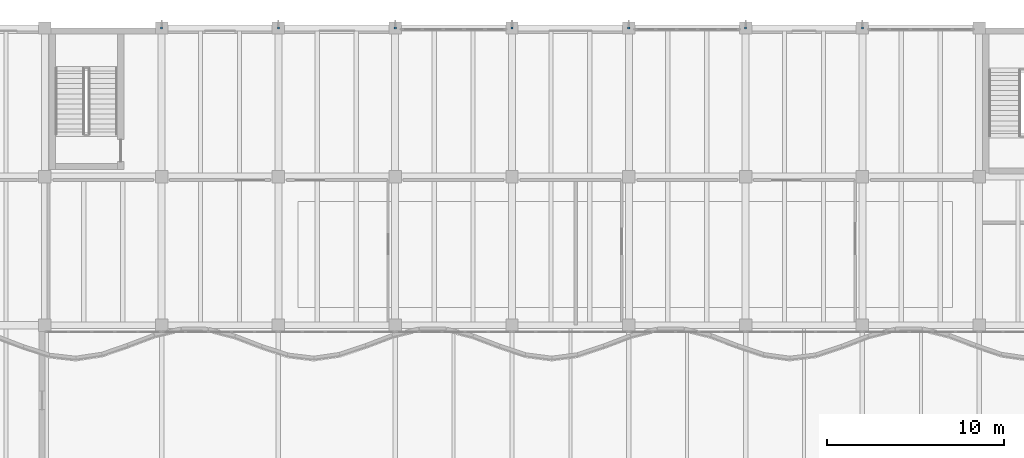
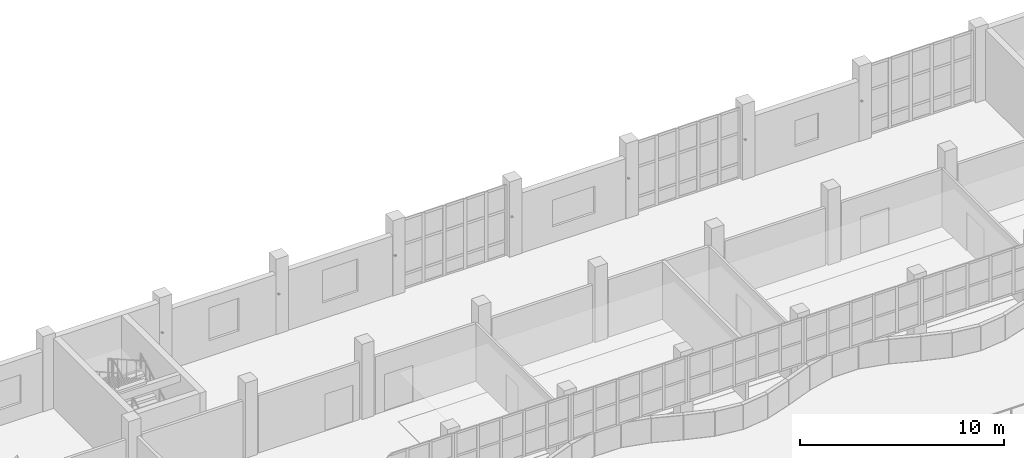
# One storey, part 64 of 83: 7 discrete accessories.
"""IFC4 building model written with IfcOpenShell, lengths in metres."""

from ifc_helpers import new_model, si_unit, direction, frame, origin, origin_2d, place, context, subcontext, project, spatial, rectangle, extrude, material, layer, layer_set, type_object, element, save


model = new_model("IFC4")

# Units and contexts
model_context = context("Model", 3, precision=1e-05, world=origin(), true_north=direction((0.0, 1.0)))
body_context = subcontext(model_context, "Body", "Model", "MODEL_VIEW")
ifc_project = project(units=[si_unit("LENGTHUNIT", "METRE"), si_unit("AREAUNIT", "SQUARE_METRE"), si_unit("VOLUMEUNIT", "CUBIC_METRE"), si_unit("PLANEANGLEUNIT", "RADIAN"), si_unit("MASSUNIT", "GRAM", prefix="KILO")], contexts=[model_context])

# Site, building, storey
site_placement = place(None, origin())
site = spatial("IfcSite", under=ifc_project, at=site_placement, CompositionType="ELEMENT")
building_placement = place(site_placement, origin())
building = spatial("IfcBuilding", under=site, at=building_placement, Name="Qaldarim Faculty of Natural and Applied Sciences", CompositionType="ELEMENT")
storey_placement = place(building_placement, frame((0.0, 0.0, 5.39990234375)))
storey = spatial("IfcBuildingStorey", under=building, at=storey_placement, Name="L01", CompositionType="ELEMENT", Elevation=5.39990234375)

# Discrete accessories
ifc_material = material(Name="Architectural stainless steel 316", Category="steel")
ifc_layer = layer(ifc_material, 0.080078125)
ifc_layer_set = layer_set([ifc_layer], Name="Architectural stainless steel 316")
discrete_accessory_type = type_object("IfcDiscreteAccessoryType", Name="FacadeBracket-SS120", PredefinedType="BRACKET", material=ifc_layer_set)
for number, where, z_axis, x_axis, name in (
    (1, (52.800048828125, 117.60009765625, 2.06005859375), (0.0, 0.0, 1.0), (1.0, 0.0, 0.0), "North fin bracket FIN-V4N-L01-X09"),
    (2, (59.39990234375, 117.60009765625, 2.06005859375), (0.0, 0.0, 1.0), (1.0, 0.0, 0.0), "North fin bracket FIN-V4N-L01-X10"),
    (3, (66.0, 117.60009765625, 2.06005859375), (0.0, 0.0, 1.0), (1.0, 0.0, 0.0), "North fin bracket FIN-V4N-L01-X11"),
    (4, (72.60009765625, 117.60009765625, 2.06005859375), (0.0, 0.0, 1.0), (1.0, 0.0, 0.0), "North fin bracket FIN-V4N-L01-X12"),
    (5, (79.199951171875, 117.60009765625, 2.06005859375), (0.0, 0.0, 1.0), (1.0, 0.0, 0.0), "North fin bracket FIN-V4N-L01-X13"),
    (6, (85.800048828125, 117.60009765625, 2.06005859375), (0.0, 0.0, 1.0), (1.0, 0.0, 0.0), "North fin bracket FIN-V4N-L01-X14"),
    (7, (92.39990234375, 117.60009765625, 2.06005859375), (0.0, 0.0, 1.0), (1.0, 0.0, 0.0), "North fin bracket FIN-V4N-L01-X15"),
):
    element("IfcDiscreteAccessory", number, at=place(storey_placement, frame(where, z_axis=z_axis, x_axis=x_axis)), inside=storey, type_object=discrete_accessory_type, Name=name, PredefinedType="BRACKET", context=body_context, shape_type="SweptSolid", body=[
        extrude(rectangle(XDim=0.1201171875, YDim=0.1201171875, at=origin_2d()), origin(), (0.0, 0.0, 1.0), 0.080078125),
    ])

save(model, "model.ifc")
